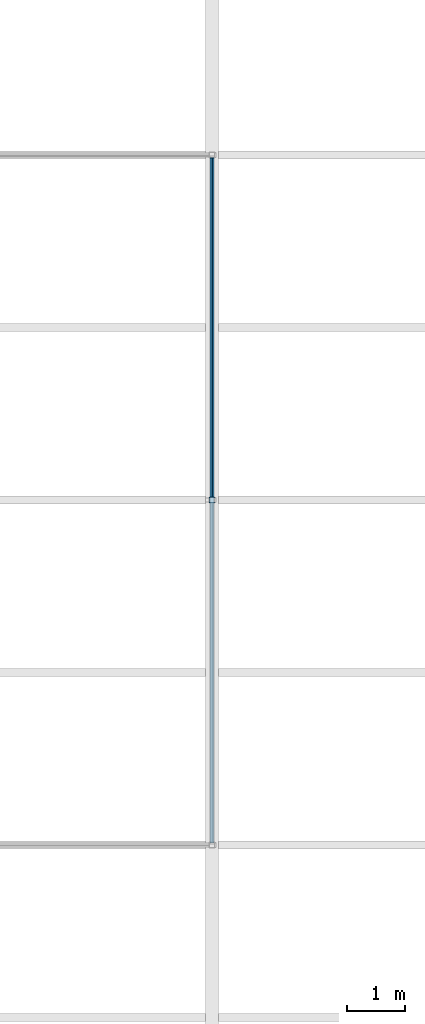
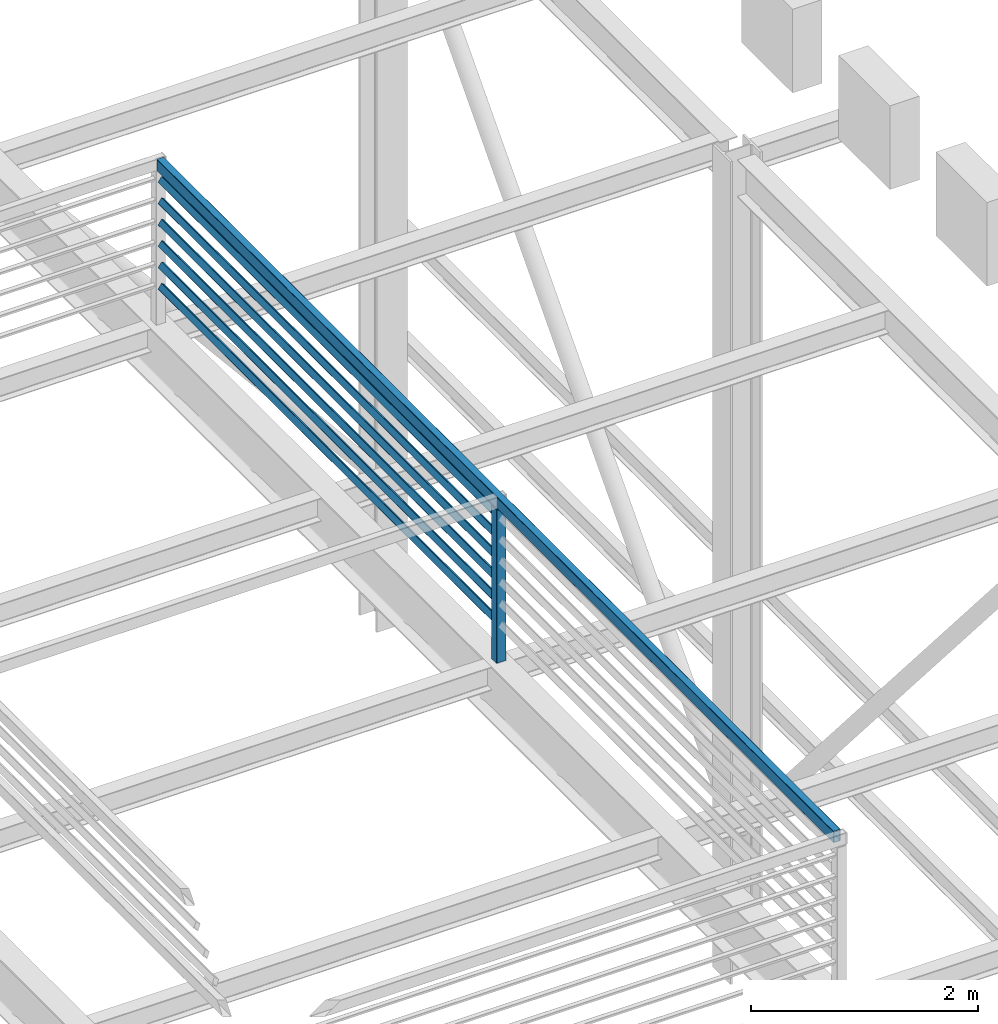
# One storey, part 14 of 57: 7 members, 1 beam.
"""IFC4 building model written with IfcOpenShell, lengths in metres."""

from ifc_helpers import new_model, si_unit, direction, frame, origin, origin_2d, place, context, subcontext, project, spatial, hollow_rectangle, extrude, material, material_profile, profile_set, type_object, element, save


model = new_model("IFC4")

# Units and contexts
model_context = context("Model", 3, precision=1e-05, world=origin(), true_north=direction((0.0, 1.0)))
body_context = subcontext(model_context, "Body", "Model", "MODEL_VIEW")
ifc_project = project(units=[si_unit("LENGTHUNIT", "METRE"), si_unit("AREAUNIT", "SQUARE_METRE"), si_unit("VOLUMEUNIT", "CUBIC_METRE"), si_unit("PLANEANGLEUNIT", "RADIAN"), si_unit("MASSUNIT", "GRAM", prefix="KILO")], contexts=[model_context])

# Site, building, storey
site_placement = place(None, origin())
site = spatial("IfcSite", under=ifc_project, at=site_placement, CompositionType="ELEMENT")
building_placement = place(site_placement, origin())
building = spatial("IfcBuilding", under=site, at=building_placement, Name="Saffron Lane Theatres", CompositionType="ELEMENT")
storey_placement = place(building_placement, frame((0.0, 0.0, 28.0)))
storey = spatial("IfcBuildingStorey", under=building, at=storey_placement, Name="Upper Roof", CompositionType="ELEMENT", Elevation=28.0)

# Member
ifc_material_1 = material(Name="Steel Grade 350", Category="steel")
ifc_material_profile_1 = material_profile(ifc_material_1, hollow_rectangle(XDim=0.10009765625, YDim=0.10009765625, WallThickness=0.006103515625, InnerFilletRadius=0.0029296875, OuterFilletRadius=0.009033203125, at=origin_2d()))
ifc_profile_set_1 = profile_set([ifc_material_profile_1], Name="Steel Grade 350")
member_type_1 = type_object("IfcMemberType", Name="ST-LANTERN POST 100x100x6 SHS", PredefinedType="POST", material=ifc_profile_set_1)
member_placement = place(storey_placement, frame((42.0, 42.25, 8.85009765625), z_axis=(0.0, 0.0, 1.0), x_axis=(1.0, 0.0, 0.0)))
element("IfcMember", 1, at=member_placement, inside=storey, type_object=member_type_1, Name="LP11", PredefinedType="POST", context=body_context, shape_type="SweptSolid", body=[
    extrude(hollow_rectangle(XDim=0.10009765625, YDim=0.10009765625, WallThickness=0.006103515625, InnerFilletRadius=0.0029296875, OuterFilletRadius=0.009033203125, at=origin_2d()), origin(), (0.0, 0.0, 1.0), 1.64990234375),
])

# Beam
ifc_material_2 = material(Name="Steel Grade 350", Category="steel")
ifc_material_profile_2 = material_profile(ifc_material_2, hollow_rectangle(XDim=0.074951171875, YDim=0.125, WallThickness=0.0048828125, InnerFilletRadius=0.00244140625, OuterFilletRadius=0.007568359375, at=origin_2d()))
ifc_profile_set_2 = profile_set([ifc_material_profile_2], Name="Steel Grade 350")
beam_type = type_object("IfcBeamType", Name="ST-LANTERN RING 125x75x5 RHS", PredefinedType="BEAM", material=ifc_profile_set_2)
beam_placement = place(storey_placement, frame((42.0, 36.28759765625, 10.5625), z_axis=(0.0, 1.0, 0.0), x_axis=(-1.0, 0.0, 0.0)))
element("IfcBeam", 2, at=beam_placement, inside=storey, type_object=beam_type, Name="LR7", PredefinedType="BEAM", context=body_context, shape_type="SweptSolid", body=[
    extrude(hollow_rectangle(XDim=0.074951171875, YDim=0.125, WallThickness=0.0048828125, InnerFilletRadius=0.00244140625, OuterFilletRadius=0.007568359375, at=origin_2d()), origin(), (0.0, 0.0, 1.0), 11.9248046875),
])

# Members
ifc_material_3 = material(Name="Steel Grade 350", Category="steel")
ifc_material_profile_3 = material_profile(ifc_material_3, hollow_rectangle(XDim=0.034912109375, YDim=0.06494140625, WallThickness=0.0029296875, InnerFilletRadius=0.00146484375, OuterFilletRadius=0.00439453125, at=origin_2d()))
ifc_profile_set_3 = profile_set([ifc_material_profile_3], Name="Steel Grade 350")
member_type_2 = type_object("IfcMemberType", Name="ST-LOUVRE SLAT 65x35x3 RHS", PredefinedType="MEMBER", material=ifc_profile_set_3)
for number, where, z_axis, x_axis, name in (
    (3, (42.0, 42.300048828125, 9.25), (0.0, 1.0, 0.0), (-0.819152044289, 0.0, 0.573576436351), "LV10"),
    (4, (42.0, 42.300048828125, 9.47998046875), (0.0, 1.0, 0.0), (-0.819152044289, 0.0, 0.573576436351), "LV20"),
    (5, (42.0, 42.300048828125, 9.7099609375), (0.0, 1.0, 0.0), (-0.819152044289, 0.0, 0.573576436351), "LV30"),
    (6, (42.0, 42.300048828125, 9.93994140625), (0.0, 1.0, 0.0), (-0.819152044289, 0.0, 0.573576436351), "LV40"),
    (7, (42.0, 42.300048828125, 10.169921875), (0.0, 1.0, 0.0), (-0.819152044289, 0.0, 0.573576436351), "LV50"),
    (8, (42.0, 42.300048828125, 10.39990234375), (0.0, 1.0, 0.0), (-0.819152044289, 0.0, 0.573576436351), "LV60"),
):
    element("IfcMember", number, at=place(storey_placement, frame(where, z_axis=z_axis, x_axis=x_axis)), inside=storey, type_object=member_type_2, Name=name, PredefinedType="MEMBER", context=body_context, shape_type="SweptSolid", body=[
        extrude(hollow_rectangle(XDim=0.034912109375, YDim=0.06494140625, WallThickness=0.0029296875, InnerFilletRadius=0.00146484375, OuterFilletRadius=0.00439453125, at=origin_2d()), origin(), (0.0, 0.0, 1.0), 5.89990234375),
    ])

save(model, "model.ifc")
